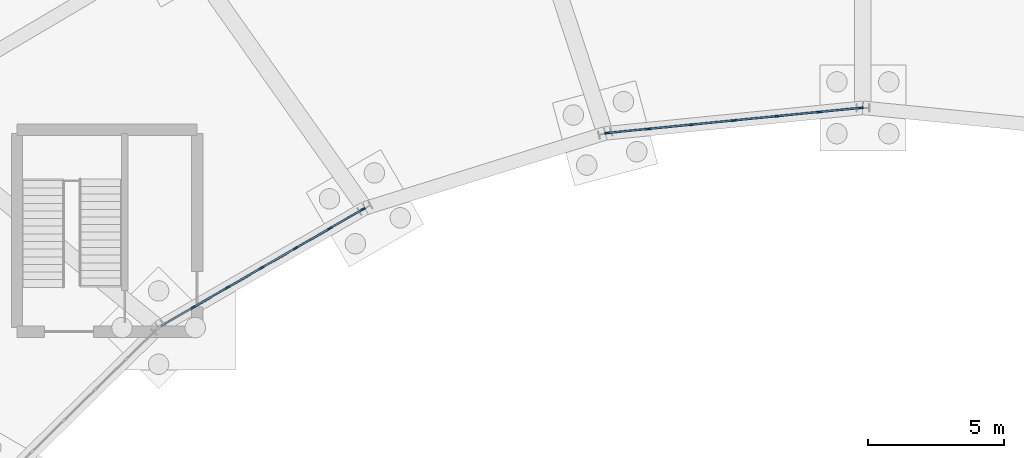
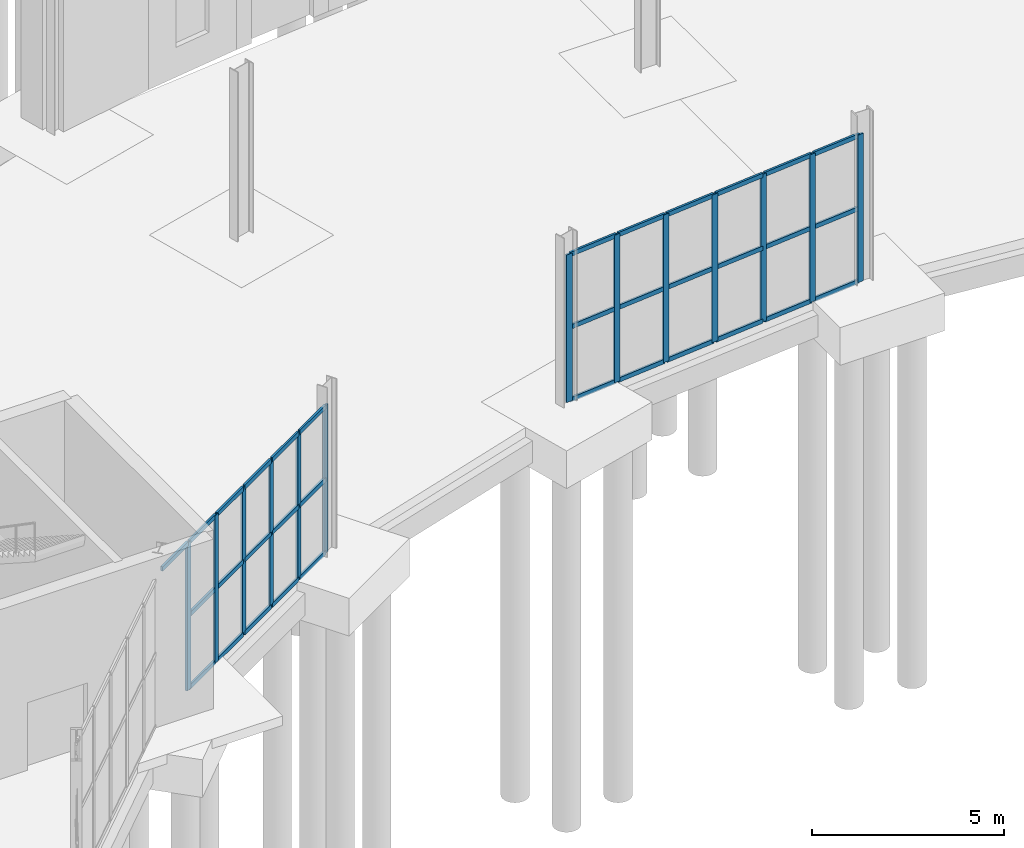
# One storey, part 61 of 118: 47 members, 2 elements without a shape of their own.
"""IFC4 building model written with IfcOpenShell, lengths in metres."""

import ifcopenshell
import ifcopenshell.guid

model = None  # the IFC model being written
_history = None  # IfcOwnerHistory: only IFC2X3 demands one
_inside = {}  # id of a spatial element -> (the spatial element, [elements in it])
_under = {}  # id of a project, library or spatial element -> (it, [spatial elements below it])
_declared = {}  # id of a project -> (the project, [libraries it declares])
_typed = {}  # id of a type object -> (the type object, [elements of that type])
_made_of = {}  # id of a material, layer set ... -> (it, [elements and type objects made of it])


def new_model(schema):
    """Start an empty IFC model of exactly this schema.

    Asked for "IFC4X3", IfcOpenShell would pick the latest addendum, in which some entities
    have other attributes; the version numbers below select the first issue.
    IFC2X3 requires an IfcOwnerHistory on every rooted entity: one is made here for all.
    """
    global model, _history
    if schema == "IFC4X3":
        model = ifcopenshell.file(schema_version=(4, 3, 0, 0))
    else:
        model = ifcopenshell.file(schema=schema)
    _inside.clear()
    _under.clear()
    _declared.clear()
    _typed.clear()
    _made_of.clear()
    _history = None
    if model.schema == "IFC2X3":
        org = make("IfcOrganization", Name="unknown")
        user = make(
            "IfcPersonAndOrganization",
            ThePerson=make("IfcPerson", FamilyName="unknown"),
            TheOrganization=org,
        )
        app = make(
            "IfcApplication",
            ApplicationDeveloper=org,
            Version="unknown",
            ApplicationFullName="unknown",
            ApplicationIdentifier="unknown",
        )
        _history = make(
            "IfcOwnerHistory",
            OwningUser=user,
            OwningApplication=app,
            ChangeAction="ADDED",
            CreationDate=0,
        )
    return model


def make(cls, **values):
    """One entity of the class cls with the attributes given. An attribute that is None is left unset."""
    return model.create_entity(
        cls, **{name: value for name, value in values.items() if value is not None}
    )


def rooted(cls, **values):
    """An entity with a GlobalId (a new one), such as an element, a storey or a relation."""
    return make(cls, GlobalId=ifcopenshell.guid.new(), OwnerHistory=_history, **values)


def si_unit(unit_type, name, prefix=None):
    """IfcSIUnit, for example si_unit("LENGTHUNIT", "METRE", prefix="MILLI")."""
    return make("IfcSIUnit", UnitType=unit_type, Prefix=prefix, Name=name)


def assignment(units):
    """IfcUnitAssignment: the units of a project."""
    return None if units is None else make("IfcUnitAssignment", Units=units)


def point(xyz):
    """IfcCartesianPoint."""
    return None if xyz is None else make("IfcCartesianPoint", Coordinates=xyz)


def direction(xyz):
    """IfcDirection."""
    return None if xyz is None else make("IfcDirection", DirectionRatios=xyz)


def frame(location, z_axis=None, x_axis=None):
    """IfcAxis2Placement3D, a coordinate frame: its origin and axes. An axis left out is left unset."""
    return make(
        "IfcAxis2Placement3D",
        Location=point(location),
        Axis=direction(z_axis),
        RefDirection=direction(x_axis),
    )


def frame_2d(location, x_axis=None):
    """IfcAxis2Placement2D, a coordinate frame in the plane: its origin and x axis."""
    return make(
        "IfcAxis2Placement2D", Location=point(location), RefDirection=direction(x_axis)
    )


def origin():
    """The frame at (0, 0, 0) with its axes left unset."""
    return frame((0.0, 0.0, 0.0))


def origin_2d():
    """The frame at (0, 0) in the plane with its x axis left unset."""
    return frame_2d((0.0, 0.0))


def place(relative_to, where):
    """IfcLocalPlacement: puts the frame where relative to a parent placement (None: the world)."""
    return make(
        "IfcLocalPlacement", PlacementRelTo=relative_to, RelativePlacement=where
    )


def context(
    kind, dimensions, precision=None, world=None, true_north=None, identifier=None
):
    """IfcGeometricRepresentationContext, for example the 3D "Model" context."""
    return make(
        "IfcGeometricRepresentationContext",
        ContextIdentifier=identifier,
        ContextType=kind,
        CoordinateSpaceDimension=dimensions,
        Precision=precision,
        WorldCoordinateSystem=world,
        TrueNorth=true_north,
    )


def subcontext(parent, identifier, kind, view, scale=None):
    """IfcGeometricRepresentationSubContext, for example "Body" below "Model"."""
    return make(
        "IfcGeometricRepresentationSubContext",
        ContextIdentifier=identifier,
        ContextType=kind,
        ParentContext=parent,
        TargetScale=scale,
        TargetView=view,
    )


def project(units=None, contexts=None):
    """IfcProject with its units and contexts."""
    return rooted(
        "IfcProject",
        Name="project",
        RepresentationContexts=contexts,
        UnitsInContext=assignment(units),
    )


def spatial(cls, under=None, at=None, **own):
    """A site, building, storey or space (cls), placed at a placement, below another one or the project."""
    s = rooted(cls, ObjectPlacement=at, **own)
    if under is not None:
        _under.setdefault(under.id(), (under, []))[1].append(s)
    return s


def profile(cls, at=None, kind="AREA", **sizes):
    """A parametric profile (cls). Its sizes go by their IFC names, for example OverallWidth=200.0."""
    return make(cls, ProfileType=kind, Position=at, **sizes)


def rectangle(**sizes):
    """IfcRectangleProfileDef."""
    return profile("IfcRectangleProfileDef", **sizes)


def extrude(swept, where, along, depth):
    """IfcExtrudedAreaSolid: the profile swept, set in the frame where, extruded along a direction by depth."""
    return make(
        "IfcExtrudedAreaSolid",
        SweptArea=swept,
        Position=where,
        ExtrudedDirection=direction(along),
        Depth=depth,
    )


def shape(context_of_items, identifier, shape_type, items):
    """IfcShapeRepresentation: the items that make up one representation, for example the "Body"."""
    return make(
        "IfcShapeRepresentation",
        ContextOfItems=context_of_items,
        RepresentationIdentifier=identifier,
        RepresentationType=shape_type,
        Items=items,
    )


def material(Name=None, Category=None):
    """IfcMaterial."""
    return make("IfcMaterial", Name=Name, Category=Category)


def material_profile(
    of_material, cross_section, Name=None, Category=None, Priority=None
):
    """IfcMaterialProfile: a cross section and its material."""
    return make(
        "IfcMaterialProfile",
        Name=Name,
        Material=of_material,
        Profile=cross_section,
        Priority=Priority,
        Category=Category,
    )


def profile_set(profiles, Name=None, composite=None):
    """IfcMaterialProfileSet."""
    return make(
        "IfcMaterialProfileSet",
        Name=Name,
        MaterialProfiles=profiles,
        CompositeProfile=composite,
    )


def made_of(thing, what):
    """Note that an element or type object is made of a material, layer set ...; save() writes the relation."""
    if what is not None:
        _made_of.setdefault(what.id(), (what, []))[1].append(thing)
    return thing


def type_object(cls, material=None, **own):
    """A type object (cls), such as IfcWallType, which elements share."""
    return made_of(rooted(cls, **own), material)


def element(
    cls,
    number,
    at=None,
    inside=None,
    cuts=None,
    type_object=None,
    material=None,
    context=None,
    identifier="Body",
    shape_type=None,
    held_by="IfcProductDefinitionShape",
    body=None,
    shapes=None,
    **own,
):
    """One element of the class cls, such as IfcWall. Its Tag is "e" and its number.

    at: its placement. inside: the storey or other place that contains it. cuts: it is an
    opening in that element (IfcRelVoidsElement). A single representation is given by context,
    identifier, shape_type and body (its items); several are given by shapes. held_by: the class
    of the entity that holds the representations. save() writes the other relations.
    """
    e = rooted(cls, Tag="e%d" % number, ObjectPlacement=at, **own)
    if body is not None:
        shapes = [shape(context, identifier, shape_type, body)]
    if shapes is not None:
        e.Representation = make(held_by, Representations=shapes)
    if inside is not None:
        _inside.setdefault(inside.id(), (inside, []))[1].append(e)
    if cuts is not None:
        rooted(
            "IfcRelVoidsElement", RelatingBuildingElement=cuts, RelatedOpeningElement=e
        )
    if type_object is not None:
        _typed.setdefault(type_object.id(), (type_object, []))[1].append(e)
    return made_of(e, material)


def aggregate(whole, parts):
    """IfcRelAggregates: a whole, such as a stair, and the parts it consists of."""
    return rooted("IfcRelAggregates", RelatingObject=whole, RelatedObjects=parts)


def save(model, path):
    """Write the relations noted so far, then the file.

    IfcRelAggregates (storeys below a building ...), IfcRelContainedInSpatialStructure (elements
    in a storey), IfcRelDefinesByType, IfcRelAssociatesMaterial and IfcRelDeclares: one each for
    every whole, place, type object, material and project.
    """
    for whole, parts in _under.values():
        aggregate(whole, parts)
    for where, things in _inside.values():
        rooted(
            "IfcRelContainedInSpatialStructure",
            RelatedElements=things,
            RelatingStructure=where,
        )
    for kind, things in _typed.values():
        rooted("IfcRelDefinesByType", RelatedObjects=things, RelatingType=kind)
    for what, things in _made_of.values():
        rooted("IfcRelAssociatesMaterial", RelatedObjects=things, RelatingMaterial=what)
    for by, libraries in _declared.values():
        rooted("IfcRelDeclares", RelatingContext=by, RelatedDefinitions=libraries)
    model.write(path)


model = new_model("IFC4")

# Units and contexts
model_context = context("Model", 3, precision=1e-05, world=origin(), true_north=direction((0.0, 1.0)))
body_context = subcontext(model_context, "Body", "Model", "MODEL_VIEW")
ifc_project = project(units=[si_unit("LENGTHUNIT", "METRE"), si_unit("AREAUNIT", "SQUARE_METRE"), si_unit("VOLUMEUNIT", "CUBIC_METRE"), si_unit("PLANEANGLEUNIT", "RADIAN"), si_unit("MASSUNIT", "GRAM", prefix="KILO")], contexts=[model_context])

# Site, building, storey
site_placement = place(None, origin())
site = spatial("IfcSite", under=ifc_project, at=site_placement, CompositionType="ELEMENT")
building_placement = place(site_placement, origin())
building = spatial("IfcBuilding", under=site, at=building_placement, Name="Kildeholm Park Wholesale Market", CompositionType="ELEMENT")
storey_placement = place(building_placement, origin())
storey = spatial("IfcBuildingStorey", under=building, at=storey_placement, Name="L00", CompositionType="ELEMENT", Elevation=0.0)

# Curtain wall, members
ifc_material_1 = material(Name="Anodised aluminium and low-E double-glazed glass", Category="aluminium")
curtain_wall_type = type_object("IfcCurtainWallType", Name="Market hall glazed arcade stick curtain wall CW-01", PredefinedType="NOTDEFINED", material=ifc_material_1)
curtain_wall_1_placement = place(storey_placement, origin())
curtain_wall_1 = element("IfcCurtainWall", 1, at=curtain_wall_1_placement, inside=storey, type_object=curtain_wall_type, Name="Curtain wall CW-V1-IN0-06 CW-0032", PredefinedType="NOTDEFINED")
ifc_material_2 = material(Name="Anodised aluminium", Category="aluminium")
ifc_material_profile_1 = material_profile(ifc_material_2, rectangle(XDim=0.06494140625, YDim=0.179931640625, at=origin_2d()), Name="CWM 65x180")
ifc_profile_set_1 = profile_set([ifc_material_profile_1], Name="Anodised aluminium")
member_type_1 = type_object("IfcMemberType", Name="Curtain-wall mullion CWM-1 CWM 65x180", PredefinedType="MULLION", material=ifc_profile_set_1)
member_1_placement = place(storey_placement, frame((98.927734375, 116.996826171875, 0.0), z_axis=(0.0, 0.0, 1.0), x_axis=(0.098683331174, -0.995118887444, 0.0)))
member_1 = element("IfcMember", 2, at=member_1_placement, type_object=member_type_1, Name="CW-01 mullion 1 MEM-1273", PredefinedType="MULLION", context=body_context, shape_type="SweptSolid", body=[
    extrude(rectangle(XDim=0.06494140625, YDim=0.179931640625, at=origin_2d()), origin(), (0.0, 0.0, 1.0), 4.699951171875),
])
member_2_placement = place(storey_placement, frame((97.398681640625, 116.84521484375, 0.0), z_axis=(0.0, 0.0, 1.0), x_axis=(0.098683331174, -0.995118887444, 0.0)))
member_2 = element("IfcMember", 3, at=member_2_placement, type_object=member_type_1, Name="CW-01 mullion 2 MEM-1274", PredefinedType="MULLION", context=body_context, shape_type="SweptSolid", body=[
    extrude(rectangle(XDim=0.06494140625, YDim=0.179931640625, at=origin_2d()), origin(), (0.0, 0.0, 1.0), 4.699951171875),
])
member_3_placement = place(storey_placement, frame((95.83740234375, 116.6904296875, 0.0), z_axis=(0.0, 0.0, 1.0), x_axis=(0.098683331174, -0.995118887444, 0.0)))
member_3 = element("IfcMember", 4, at=member_3_placement, type_object=member_type_1, Name="CW-01 mullion 3 MEM-1275", PredefinedType="MULLION", context=body_context, shape_type="SweptSolid", body=[
    extrude(rectangle(XDim=0.06494140625, YDim=0.179931640625, at=origin_2d()), origin(), (0.0, 0.0, 1.0), 4.699951171875),
])
member_4_placement = place(storey_placement, frame((94.27587890625, 116.535400390625, 0.0), z_axis=(0.0, 0.0, 1.0), x_axis=(0.098683331174, -0.995118887444, 0.0)))
member_4 = element("IfcMember", 5, at=member_4_placement, type_object=member_type_1, Name="CW-01 mullion 4 MEM-1276", PredefinedType="MULLION", context=body_context, shape_type="SweptSolid", body=[
    extrude(rectangle(XDim=0.06494140625, YDim=0.179931640625, at=origin_2d()), origin(), (0.0, 0.0, 1.0), 4.699951171875),
])
member_5_placement = place(storey_placement, frame((92.714599609375, 116.380615234375, 0.0), z_axis=(0.0, 0.0, 1.0), x_axis=(0.098683331174, -0.995118887444, 0.0)))
member_5 = element("IfcMember", 6, at=member_5_placement, type_object=member_type_1, Name="CW-01 mullion 5 MEM-1277", PredefinedType="MULLION", context=body_context, shape_type="SweptSolid", body=[
    extrude(rectangle(XDim=0.06494140625, YDim=0.179931640625, at=origin_2d()), origin(), (0.0, 0.0, 1.0), 4.699951171875),
])
member_6_placement = place(storey_placement, frame((91.1533203125, 116.225830078125, 0.0), z_axis=(0.0, 0.0, 1.0), x_axis=(0.098683331174, -0.995118887444, 0.0)))
member_6 = element("IfcMember", 7, at=member_6_placement, type_object=member_type_1, Name="CW-01 mullion 6 MEM-1278", PredefinedType="MULLION", context=body_context, shape_type="SweptSolid", body=[
    extrude(rectangle(XDim=0.06494140625, YDim=0.179931640625, at=origin_2d()), origin(), (0.0, 0.0, 1.0), 4.699951171875),
])
member_7_placement = place(storey_placement, frame((89.624267578125, 116.07421875, 0.0), z_axis=(0.0, 0.0, 1.0), x_axis=(0.098683331174, -0.995118887444, 0.0)))
member_7 = element("IfcMember", 8, at=member_7_placement, type_object=member_type_1, Name="CW-01 mullion 7 MEM-1279", PredefinedType="MULLION", context=body_context, shape_type="SweptSolid", body=[
    extrude(rectangle(XDim=0.06494140625, YDim=0.179931640625, at=origin_2d()), origin(), (0.0, 0.0, 1.0), 4.699951171875),
])

curtain_wall_2_placement = place(storey_placement, origin())
curtain_wall_2 = element("IfcCurtainWall", 9, at=curtain_wall_2_placement, inside=storey, type_object=curtain_wall_type, Name="Curtain wall CW-V1-IN0-08 CW-0041", PredefinedType="NOTDEFINED")
member_8_placement = place(storey_placement, frame((80.683837890625, 113.28271484375, 0.0), z_axis=(0.0, 0.0, 1.0), x_axis=(0.500489412982, -0.865742656621, 0.0)))
member_8 = element("IfcMember", 10, at=member_8_placement, type_object=member_type_1, Name="CW-01 mullion 1 MEM-1542", PredefinedType="MULLION", context=body_context, shape_type="SweptSolid", body=[
    extrude(rectangle(XDim=0.06494140625, YDim=0.179931640625, at=origin_2d()), origin(), (0.0, 0.0, 1.0), 4.699951171875),
])
member_9_placement = place(storey_placement, frame((79.463623046875, 112.577392578125, 0.0), z_axis=(0.0, 0.0, 1.0), x_axis=(0.500489412982, -0.865742656621, 0.0)))
member_9 = element("IfcMember", 11, at=member_9_placement, type_object=member_type_1, Name="CW-01 mullion 2 MEM-1543", PredefinedType="MULLION", context=body_context, shape_type="SweptSolid", body=[
    extrude(rectangle(XDim=0.06494140625, YDim=0.179931640625, at=origin_2d()), origin(), (0.0, 0.0, 1.0), 4.699951171875),
])
member_10_placement = place(storey_placement, frame((78.21533203125, 111.855712890625, 0.0), z_axis=(0.0, 0.0, 1.0), x_axis=(0.500489412982, -0.865742656621, 0.0)))
member_10 = element("IfcMember", 12, at=member_10_placement, type_object=member_type_1, Name="CW-01 mullion 3 MEM-1544", PredefinedType="MULLION", context=body_context, shape_type="SweptSolid", body=[
    extrude(rectangle(XDim=0.06494140625, YDim=0.179931640625, at=origin_2d()), origin(), (0.0, 0.0, 1.0), 4.699951171875),
])
member_11_placement = place(storey_placement, frame((76.967041015625, 111.134033203125, 0.0), z_axis=(0.0, 0.0, 1.0), x_axis=(0.500489412982, -0.865742656621, 0.0)))
member_11 = element("IfcMember", 13, at=member_11_placement, type_object=member_type_1, Name="CW-01 mullion 4 MEM-1545", PredefinedType="MULLION", context=body_context, shape_type="SweptSolid", body=[
    extrude(rectangle(XDim=0.06494140625, YDim=0.179931640625, at=origin_2d()), origin(), (0.0, 0.0, 1.0), 4.699951171875),
])
member_12_placement = place(storey_placement, frame((75.71875, 110.412353515625, 0.0), z_axis=(0.0, 0.0, 1.0), x_axis=(0.500489412982, -0.865742656621, 0.0)))
member_12 = element("IfcMember", 14, at=member_12_placement, type_object=member_type_1, Name="CW-01 mullion 5 MEM-1546", PredefinedType="MULLION", context=body_context, shape_type="SweptSolid", body=[
    extrude(rectangle(XDim=0.06494140625, YDim=0.179931640625, at=origin_2d()), origin(), (0.0, 0.0, 1.0), 4.699951171875),
])
member_13_placement = place(storey_placement, frame((74.47021484375, 109.690673828125, 0.0), z_axis=(0.0, 0.0, 1.0), x_axis=(0.500489412982, -0.865742656621, 0.0)))
member_13 = element("IfcMember", 15, at=member_13_placement, type_object=member_type_1, Name="CW-01 mullion 6 MEM-1547", PredefinedType="MULLION", context=body_context, shape_type="SweptSolid", body=[
    extrude(rectangle(XDim=0.06494140625, YDim=0.179931640625, at=origin_2d()), origin(), (0.0, 0.0, 1.0), 4.699951171875),
])

# Member
ifc_material_profile_2 = material_profile(ifc_material_2, rectangle(XDim=0.06494140625, YDim=0.139892578125, at=origin_2d()), Name="CWT 65x140")
ifc_profile_set_2 = profile_set([ifc_material_profile_2], Name="Anodised aluminium")
member_type_2 = type_object("IfcMemberType", Name="Curtain-wall transom CWT-1 CWT 65x140", PredefinedType="USERDEFINED", material=ifc_profile_set_2)
member_14_placement = place(storey_placement, frame((98.895263671875, 116.99365234375, 0.032470703125), z_axis=(-0.995115725144, -0.098715214482, 0.0), x_axis=(0.098715214482, -0.995115725144, 0.0)))
member_14 = element("IfcMember", 16, at=member_14_placement, type_object=member_type_2, Name="CW-01 transom 1.1 MEM-1280", ObjectType="TRANSOM", PredefinedType="USERDEFINED", context=body_context, shape_type="SweptSolid", body=[
    extrude(rectangle(XDim=0.06494140625, YDim=0.139892578125, at=origin_2d()), origin(), (0.0, 0.0, 1.0), 1.471435546875),
])

member_15_placement = place(storey_placement, frame((98.895263671875, 116.99365234375, 2.35009765625), z_axis=(-0.995115725144, -0.098715214482, 0.0), x_axis=(0.098715214482, -0.995115725144, 0.0)))
member_15 = element("IfcMember", 17, at=member_15_placement, type_object=member_type_2, Name="CW-01 transom 1.2 MEM-1281", ObjectType="TRANSOM", PredefinedType="USERDEFINED", context=body_context, shape_type="SweptSolid", body=[
    extrude(rectangle(XDim=0.06494140625, YDim=0.139892578125, at=origin_2d()), origin(), (0.0, 0.0, 1.0), 1.471435546875),
])

member_16_placement = place(storey_placement, frame((98.895263671875, 116.99365234375, 4.66748046875), z_axis=(-0.995115725144, -0.098715214482, 0.0), x_axis=(0.098715214482, -0.995115725144, 0.0)))
member_16 = element("IfcMember", 18, at=member_16_placement, type_object=member_type_2, Name="CW-01 transom 1.3 MEM-1282", ObjectType="TRANSOM", PredefinedType="USERDEFINED", context=body_context, shape_type="SweptSolid", body=[
    extrude(rectangle(XDim=0.06494140625, YDim=0.139892578125, at=origin_2d()), origin(), (0.0, 0.0, 1.0), 1.471435546875),
])

member_17_placement = place(storey_placement, frame((97.3662109375, 116.842041015625, 0.032470703125), z_axis=(-0.995117229838, -0.098700044982, 0.0), x_axis=(0.098700044982, -0.995117229838, 0.0)))
member_17 = element("IfcMember", 19, at=member_17_placement, type_object=member_type_2, Name="CW-01 transom 2.1 MEM-1283", ObjectType="TRANSOM", PredefinedType="USERDEFINED", context=body_context, shape_type="SweptSolid", body=[
    extrude(rectangle(XDim=0.06494140625, YDim=0.139892578125, at=origin_2d()), origin(), (0.0, 0.0, 1.0), 1.50390625),
])

member_18_placement = place(storey_placement, frame((97.3662109375, 116.842041015625, 2.35009765625), z_axis=(-0.995117229838, -0.098700044982, 0.0), x_axis=(0.098700044982, -0.995117229838, 0.0)))
member_18 = element("IfcMember", 20, at=member_18_placement, type_object=member_type_2, Name="CW-01 transom 2.2 MEM-1284", ObjectType="TRANSOM", PredefinedType="USERDEFINED", context=body_context, shape_type="SweptSolid", body=[
    extrude(rectangle(XDim=0.06494140625, YDim=0.139892578125, at=origin_2d()), origin(), (0.0, 0.0, 1.0), 1.50390625),
])

member_19_placement = place(storey_placement, frame((97.3662109375, 116.842041015625, 4.66748046875), z_axis=(-0.995117229838, -0.098700044982, 0.0), x_axis=(0.098700044982, -0.995117229838, 0.0)))
member_19 = element("IfcMember", 21, at=member_19_placement, type_object=member_type_2, Name="CW-01 transom 2.3 MEM-1285", ObjectType="TRANSOM", PredefinedType="USERDEFINED", context=body_context, shape_type="SweptSolid", body=[
    extrude(rectangle(XDim=0.06494140625, YDim=0.139892578125, at=origin_2d()), origin(), (0.0, 0.0, 1.0), 1.50390625),
])

member_20_placement = place(storey_placement, frame((95.804931640625, 116.68701171875, 0.032470703125), z_axis=(-0.995133161405, -0.098539286945, 0.0), x_axis=(0.098539286945, -0.995133161405, 0.0)))
member_20 = element("IfcMember", 22, at=member_20_placement, type_object=member_type_2, Name="CW-01 transom 3.1 MEM-1286", ObjectType="TRANSOM", PredefinedType="USERDEFINED", context=body_context, shape_type="SweptSolid", body=[
    extrude(rectangle(XDim=0.06494140625, YDim=0.139892578125, at=origin_2d()), origin(), (0.0, 0.0, 1.0), 1.50390625),
])

member_21_placement = place(storey_placement, frame((95.804931640625, 116.68701171875, 2.35009765625), z_axis=(-0.995133161405, -0.098539286945, 0.0), x_axis=(0.098539286945, -0.995133161405, 0.0)))
member_21 = element("IfcMember", 23, at=member_21_placement, type_object=member_type_2, Name="CW-01 transom 3.2 MEM-1287", ObjectType="TRANSOM", PredefinedType="USERDEFINED", context=body_context, shape_type="SweptSolid", body=[
    extrude(rectangle(XDim=0.06494140625, YDim=0.139892578125, at=origin_2d()), origin(), (0.0, 0.0, 1.0), 1.50390625),
])

member_22_placement = place(storey_placement, frame((95.804931640625, 116.68701171875, 4.66748046875), z_axis=(-0.995133161405, -0.098539286945, 0.0), x_axis=(0.098539286945, -0.995133161405, 0.0)))
member_22 = element("IfcMember", 24, at=member_22_placement, type_object=member_type_2, Name="CW-01 transom 3.3 MEM-1288", ObjectType="TRANSOM", PredefinedType="USERDEFINED", context=body_context, shape_type="SweptSolid", body=[
    extrude(rectangle(XDim=0.06494140625, YDim=0.139892578125, at=origin_2d()), origin(), (0.0, 0.0, 1.0), 1.50390625),
])

member_23_placement = place(storey_placement, frame((94.24365234375, 116.5322265625, 0.032470703125), z_axis=(-0.995117229838, -0.098700044982, 0.0), x_axis=(0.098700044982, -0.995117229838, 0.0)))
member_23 = element("IfcMember", 25, at=member_23_placement, type_object=member_type_2, Name="CW-01 transom 4.1 MEM-1289", ObjectType="TRANSOM", PredefinedType="USERDEFINED", context=body_context, shape_type="SweptSolid", body=[
    extrude(rectangle(XDim=0.06494140625, YDim=0.139892578125, at=origin_2d()), origin(), (0.0, 0.0, 1.0), 1.50390625),
])

member_24_placement = place(storey_placement, frame((94.24365234375, 116.5322265625, 2.35009765625), z_axis=(-0.995117229838, -0.098700044982, 0.0), x_axis=(0.098700044982, -0.995117229838, 0.0)))
member_24 = element("IfcMember", 26, at=member_24_placement, type_object=member_type_2, Name="CW-01 transom 4.2 MEM-1290", ObjectType="TRANSOM", PredefinedType="USERDEFINED", context=body_context, shape_type="SweptSolid", body=[
    extrude(rectangle(XDim=0.06494140625, YDim=0.139892578125, at=origin_2d()), origin(), (0.0, 0.0, 1.0), 1.50390625),
])

member_25_placement = place(storey_placement, frame((94.24365234375, 116.5322265625, 4.66748046875), z_axis=(-0.995117229838, -0.098700044982, 0.0), x_axis=(0.098700044982, -0.995117229838, 0.0)))
member_25 = element("IfcMember", 27, at=member_25_placement, type_object=member_type_2, Name="CW-01 transom 4.3 MEM-1291", ObjectType="TRANSOM", PredefinedType="USERDEFINED", context=body_context, shape_type="SweptSolid", body=[
    extrude(rectangle(XDim=0.06494140625, YDim=0.139892578125, at=origin_2d()), origin(), (0.0, 0.0, 1.0), 1.50390625),
])

member_26_placement = place(storey_placement, frame((92.682373046875, 116.37744140625, 0.032470703125), z_axis=(-0.995117229838, -0.098700044982, 0.0), x_axis=(0.098700044982, -0.995117229838, 0.0)))
member_26 = element("IfcMember", 28, at=member_26_placement, type_object=member_type_2, Name="CW-01 transom 5.1 MEM-1292", ObjectType="TRANSOM", PredefinedType="USERDEFINED", context=body_context, shape_type="SweptSolid", body=[
    extrude(rectangle(XDim=0.06494140625, YDim=0.139892578125, at=origin_2d()), origin(), (0.0, 0.0, 1.0), 1.50390625),
])

member_27_placement = place(storey_placement, frame((92.682373046875, 116.37744140625, 2.35009765625), z_axis=(-0.995117229838, -0.098700044982, 0.0), x_axis=(0.098700044982, -0.995117229838, 0.0)))
member_27 = element("IfcMember", 29, at=member_27_placement, type_object=member_type_2, Name="CW-01 transom 5.2 MEM-1293", ObjectType="TRANSOM", PredefinedType="USERDEFINED", context=body_context, shape_type="SweptSolid", body=[
    extrude(rectangle(XDim=0.06494140625, YDim=0.139892578125, at=origin_2d()), origin(), (0.0, 0.0, 1.0), 1.50390625),
])

member_28_placement = place(storey_placement, frame((92.682373046875, 116.37744140625, 4.66748046875), z_axis=(-0.995117229838, -0.098700044982, 0.0), x_axis=(0.098700044982, -0.995117229838, 0.0)))
member_28 = element("IfcMember", 30, at=member_28_placement, type_object=member_type_2, Name="CW-01 transom 5.3 MEM-1294", ObjectType="TRANSOM", PredefinedType="USERDEFINED", context=body_context, shape_type="SweptSolid", body=[
    extrude(rectangle(XDim=0.06494140625, YDim=0.139892578125, at=origin_2d()), origin(), (0.0, 0.0, 1.0), 1.50390625),
])

member_29_placement = place(storey_placement, frame((91.12109375, 116.22265625, 0.032470703125), z_axis=(-0.995115725144, -0.098715214482, 0.0), x_axis=(0.098715214482, -0.995115725144, 0.0)))
member_29 = element("IfcMember", 31, at=member_29_placement, type_object=member_type_2, Name="CW-01 transom 6.1 MEM-1295", ObjectType="TRANSOM", PredefinedType="USERDEFINED", context=body_context, shape_type="SweptSolid", body=[
    extrude(rectangle(XDim=0.06494140625, YDim=0.139892578125, at=origin_2d()), origin(), (0.0, 0.0, 1.0), 1.471435546875),
])

member_30_placement = place(storey_placement, frame((91.12109375, 116.22265625, 2.35009765625), z_axis=(-0.995115725144, -0.098715214482, 0.0), x_axis=(0.098715214482, -0.995115725144, 0.0)))
member_30 = element("IfcMember", 32, at=member_30_placement, type_object=member_type_2, Name="CW-01 transom 6.2 MEM-1296", ObjectType="TRANSOM", PredefinedType="USERDEFINED", context=body_context, shape_type="SweptSolid", body=[
    extrude(rectangle(XDim=0.06494140625, YDim=0.139892578125, at=origin_2d()), origin(), (0.0, 0.0, 1.0), 1.471435546875),
])

member_31_placement = place(storey_placement, frame((91.12109375, 116.22265625, 4.66748046875), z_axis=(-0.995115725144, -0.098715214482, 0.0), x_axis=(0.098715214482, -0.995115725144, 0.0)))
member_31 = element("IfcMember", 33, at=member_31_placement, type_object=member_type_2, Name="CW-01 transom 6.3 MEM-1297", ObjectType="TRANSOM", PredefinedType="USERDEFINED", context=body_context, shape_type="SweptSolid", body=[
    extrude(rectangle(XDim=0.06494140625, YDim=0.139892578125, at=origin_2d()), origin(), (0.0, 0.0, 1.0), 1.471435546875),
])

aggregate(curtain_wall_1, [member_1, member_2, member_3, member_4, member_5, member_6, member_7, member_14, member_15, member_16, member_17, member_18, member_19, member_20, member_21, member_22, member_23, member_24, member_25, member_26, member_27, member_28, member_29, member_30, member_31])

member_32_placement = place(storey_placement, frame((80.65576171875, 113.266357421875, 0.032470703125), z_axis=(-0.865774168037, -0.50043490082, 0.0), x_axis=(0.50043490082, -0.865774168037, 0.0)))
member_32 = element("IfcMember", 34, at=member_32_placement, type_object=member_type_2, Name="CW-01 transom 1.1 MEM-1549", ObjectType="TRANSOM", PredefinedType="USERDEFINED", context=body_context, shape_type="SweptSolid", body=[
    extrude(rectangle(XDim=0.06494140625, YDim=0.139892578125, at=origin_2d()), origin(), (0.0, 0.0, 1.0), 1.344482421875),
])

member_33_placement = place(storey_placement, frame((80.65576171875, 113.266357421875, 2.35009765625), z_axis=(-0.865774168037, -0.50043490082, 0.0), x_axis=(0.50043490082, -0.865774168037, 0.0)))
member_33 = element("IfcMember", 35, at=member_33_placement, type_object=member_type_2, Name="CW-01 transom 1.2 MEM-1550", ObjectType="TRANSOM", PredefinedType="USERDEFINED", context=body_context, shape_type="SweptSolid", body=[
    extrude(rectangle(XDim=0.06494140625, YDim=0.139892578125, at=origin_2d()), origin(), (0.0, 0.0, 1.0), 1.344482421875),
])

member_34_placement = place(storey_placement, frame((80.65576171875, 113.266357421875, 4.66748046875), z_axis=(-0.865774168037, -0.50043490082, 0.0), x_axis=(0.50043490082, -0.865774168037, 0.0)))
member_34 = element("IfcMember", 36, at=member_34_placement, type_object=member_type_2, Name="CW-01 transom 1.3 MEM-1551", ObjectType="TRANSOM", PredefinedType="USERDEFINED", context=body_context, shape_type="SweptSolid", body=[
    extrude(rectangle(XDim=0.06494140625, YDim=0.139892578125, at=origin_2d()), origin(), (0.0, 0.0, 1.0), 1.344482421875),
])

member_35_placement = place(storey_placement, frame((79.435546875, 112.56103515625, 0.032470703125), z_axis=(-0.865733630758, -0.500505025523, 0.0), x_axis=(0.500505025523, -0.865733630758, 0.0)))
member_35 = element("IfcMember", 37, at=member_35_placement, type_object=member_type_2, Name="CW-01 transom 2.1 MEM-1552", ObjectType="TRANSOM", PredefinedType="USERDEFINED", context=body_context, shape_type="SweptSolid", body=[
    extrude(rectangle(XDim=0.06494140625, YDim=0.139892578125, at=origin_2d()), origin(), (0.0, 0.0, 1.0), 1.376953125),
])

member_36_placement = place(storey_placement, frame((79.435546875, 112.56103515625, 2.35009765625), z_axis=(-0.865733630758, -0.500505025523, 0.0), x_axis=(0.500505025523, -0.865733630758, 0.0)))
member_36 = element("IfcMember", 38, at=member_36_placement, type_object=member_type_2, Name="CW-01 transom 2.2 MEM-1553", ObjectType="TRANSOM", PredefinedType="USERDEFINED", context=body_context, shape_type="SweptSolid", body=[
    extrude(rectangle(XDim=0.06494140625, YDim=0.139892578125, at=origin_2d()), origin(), (0.0, 0.0, 1.0), 1.376953125),
])

member_37_placement = place(storey_placement, frame((79.435546875, 112.56103515625, 4.66748046875), z_axis=(-0.865733630758, -0.500505025523, 0.0), x_axis=(0.500505025523, -0.865733630758, 0.0)))
member_37 = element("IfcMember", 39, at=member_37_placement, type_object=member_type_2, Name="CW-01 transom 2.3 MEM-1554", ObjectType="TRANSOM", PredefinedType="USERDEFINED", context=body_context, shape_type="SweptSolid", body=[
    extrude(rectangle(XDim=0.06494140625, YDim=0.139892578125, at=origin_2d()), origin(), (0.0, 0.0, 1.0), 1.376953125),
])

member_38_placement = place(storey_placement, frame((78.187255859375, 111.83935546875, 0.032470703125), z_axis=(-0.865733630758, -0.500505025523, 0.0), x_axis=(0.500505025523, -0.865733630758, 0.0)))
member_38 = element("IfcMember", 40, at=member_38_placement, type_object=member_type_2, Name="CW-01 transom 3.1 MEM-1555", ObjectType="TRANSOM", PredefinedType="USERDEFINED", context=body_context, shape_type="SweptSolid", body=[
    extrude(rectangle(XDim=0.06494140625, YDim=0.139892578125, at=origin_2d()), origin(), (0.0, 0.0, 1.0), 1.376953125),
])

member_39_placement = place(storey_placement, frame((78.187255859375, 111.83935546875, 2.35009765625), z_axis=(-0.865733630758, -0.500505025523, 0.0), x_axis=(0.500505025523, -0.865733630758, 0.0)))
member_39 = element("IfcMember", 41, at=member_39_placement, type_object=member_type_2, Name="CW-01 transom 3.2 MEM-1556", ObjectType="TRANSOM", PredefinedType="USERDEFINED", context=body_context, shape_type="SweptSolid", body=[
    extrude(rectangle(XDim=0.06494140625, YDim=0.139892578125, at=origin_2d()), origin(), (0.0, 0.0, 1.0), 1.376953125),
])

member_40_placement = place(storey_placement, frame((78.187255859375, 111.83935546875, 4.66748046875), z_axis=(-0.865733630758, -0.500505025523, 0.0), x_axis=(0.500505025523, -0.865733630758, 0.0)))
member_40 = element("IfcMember", 42, at=member_40_placement, type_object=member_type_2, Name="CW-01 transom 3.3 MEM-1557", ObjectType="TRANSOM", PredefinedType="USERDEFINED", context=body_context, shape_type="SweptSolid", body=[
    extrude(rectangle(XDim=0.06494140625, YDim=0.139892578125, at=origin_2d()), origin(), (0.0, 0.0, 1.0), 1.376953125),
])

member_41_placement = place(storey_placement, frame((76.93896484375, 111.11767578125, 0.032470703125), z_axis=(-0.865810450204, -0.50037212584, 0.0), x_axis=(0.50037212584, -0.865810450204, 0.0)))
member_41 = element("IfcMember", 43, at=member_41_placement, type_object=member_type_2, Name="CW-01 transom 4.1 MEM-1558", ObjectType="TRANSOM", PredefinedType="USERDEFINED", context=body_context, shape_type="SweptSolid", body=[
    extrude(rectangle(XDim=0.06494140625, YDim=0.139892578125, at=origin_2d()), origin(), (0.0, 0.0, 1.0), 1.376953125),
])

member_42_placement = place(storey_placement, frame((76.93896484375, 111.11767578125, 2.35009765625), z_axis=(-0.865810450204, -0.50037212584, 0.0), x_axis=(0.50037212584, -0.865810450204, 0.0)))
member_42 = element("IfcMember", 44, at=member_42_placement, type_object=member_type_2, Name="CW-01 transom 4.2 MEM-1559", ObjectType="TRANSOM", PredefinedType="USERDEFINED", context=body_context, shape_type="SweptSolid", body=[
    extrude(rectangle(XDim=0.06494140625, YDim=0.139892578125, at=origin_2d()), origin(), (0.0, 0.0, 1.0), 1.376953125),
])

member_43_placement = place(storey_placement, frame((76.93896484375, 111.11767578125, 4.66748046875), z_axis=(-0.865810450204, -0.50037212584, 0.0), x_axis=(0.50037212584, -0.865810450204, 0.0)))
member_43 = element("IfcMember", 45, at=member_43_placement, type_object=member_type_2, Name="CW-01 transom 4.3 MEM-1560", ObjectType="TRANSOM", PredefinedType="USERDEFINED", context=body_context, shape_type="SweptSolid", body=[
    extrude(rectangle(XDim=0.06494140625, YDim=0.139892578125, at=origin_2d()), origin(), (0.0, 0.0, 1.0), 1.376953125),
])

member_44_placement = place(storey_placement, frame((75.6904296875, 110.39599609375, 0.032470703125), z_axis=(-0.86576604618, -0.500448951725, 0.0), x_axis=(0.500448951725, -0.86576604618, 0.0)))
member_44 = element("IfcMember", 46, at=member_44_placement, type_object=member_type_2, Name="CW-01 transom 5.1 MEM-1561", ObjectType="TRANSOM", PredefinedType="USERDEFINED", context=body_context, shape_type="SweptSolid", body=[
    extrude(rectangle(XDim=0.06494140625, YDim=0.139892578125, at=origin_2d()), origin(), (0.0, 0.0, 1.0), 1.376708984375),
])

member_45_placement = place(storey_placement, frame((75.6904296875, 110.39599609375, 2.35009765625), z_axis=(-0.86576604618, -0.500448951725, 0.0), x_axis=(0.500448951725, -0.86576604618, 0.0)))
member_45 = element("IfcMember", 47, at=member_45_placement, type_object=member_type_2, Name="CW-01 transom 5.2 MEM-1562", ObjectType="TRANSOM", PredefinedType="USERDEFINED", context=body_context, shape_type="SweptSolid", body=[
    extrude(rectangle(XDim=0.06494140625, YDim=0.139892578125, at=origin_2d()), origin(), (0.0, 0.0, 1.0), 1.376708984375),
])

member_46_placement = place(storey_placement, frame((75.6904296875, 110.39599609375, 4.66748046875), z_axis=(-0.86576604618, -0.500448951725, 0.0), x_axis=(0.500448951725, -0.86576604618, 0.0)))
member_46 = element("IfcMember", 48, at=member_46_placement, type_object=member_type_2, Name="CW-01 transom 5.3 MEM-1563", ObjectType="TRANSOM", PredefinedType="USERDEFINED", context=body_context, shape_type="SweptSolid", body=[
    extrude(rectangle(XDim=0.06494140625, YDim=0.139892578125, at=origin_2d()), origin(), (0.0, 0.0, 1.0), 1.376708984375),
])

member_47_placement = place(storey_placement, frame((74.442138671875, 109.67431640625, 4.66748046875), z_axis=(-0.86572868327, -0.500513583195, 0.0), x_axis=(0.500513583195, -0.86572868327, 0.0)))
member_47 = element("IfcMember", 49, at=member_47_placement, type_object=member_type_2, Name="CW-01 transom 6.3 MEM-1566", ObjectType="TRANSOM", PredefinedType="USERDEFINED", context=body_context, shape_type="SweptSolid", body=[
    extrude(rectangle(XDim=0.06494140625, YDim=0.139892578125, at=origin_2d()), origin(), (0.0, 0.0, 1.0), 1.34423828125),
])

aggregate(curtain_wall_2, [member_8, member_9, member_10, member_11, member_12, member_13, member_32, member_33, member_34, member_35, member_36, member_37, member_38, member_39, member_40, member_41, member_42, member_43, member_44, member_45, member_46, member_47])

save(model, "model.ifc")
